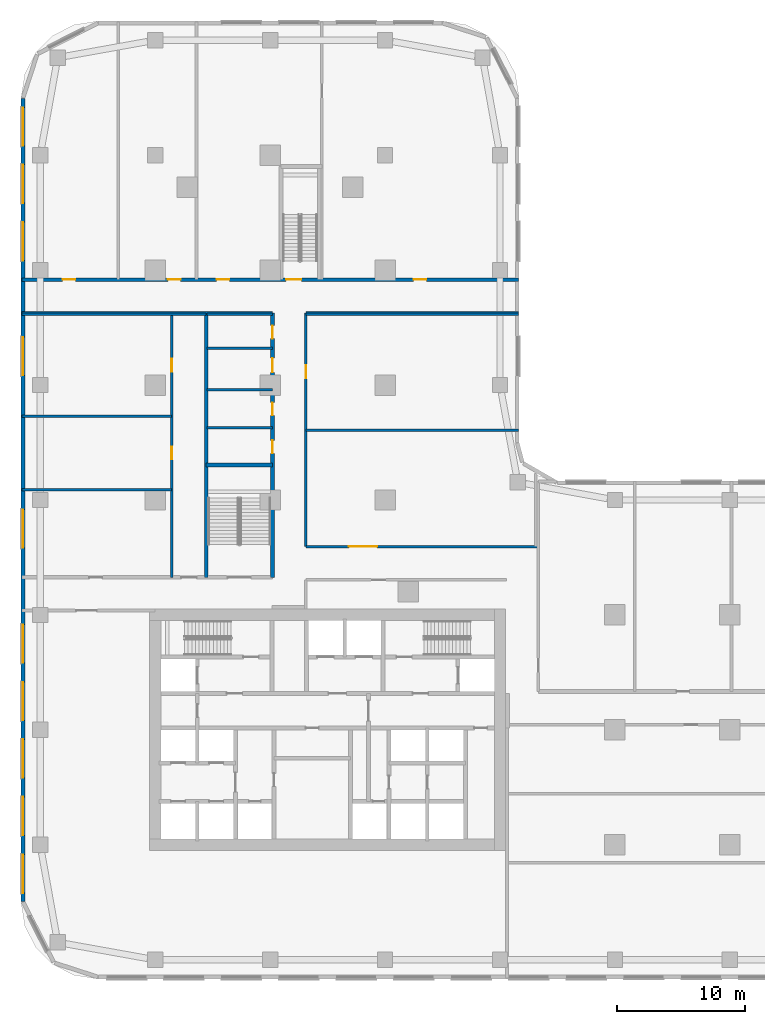
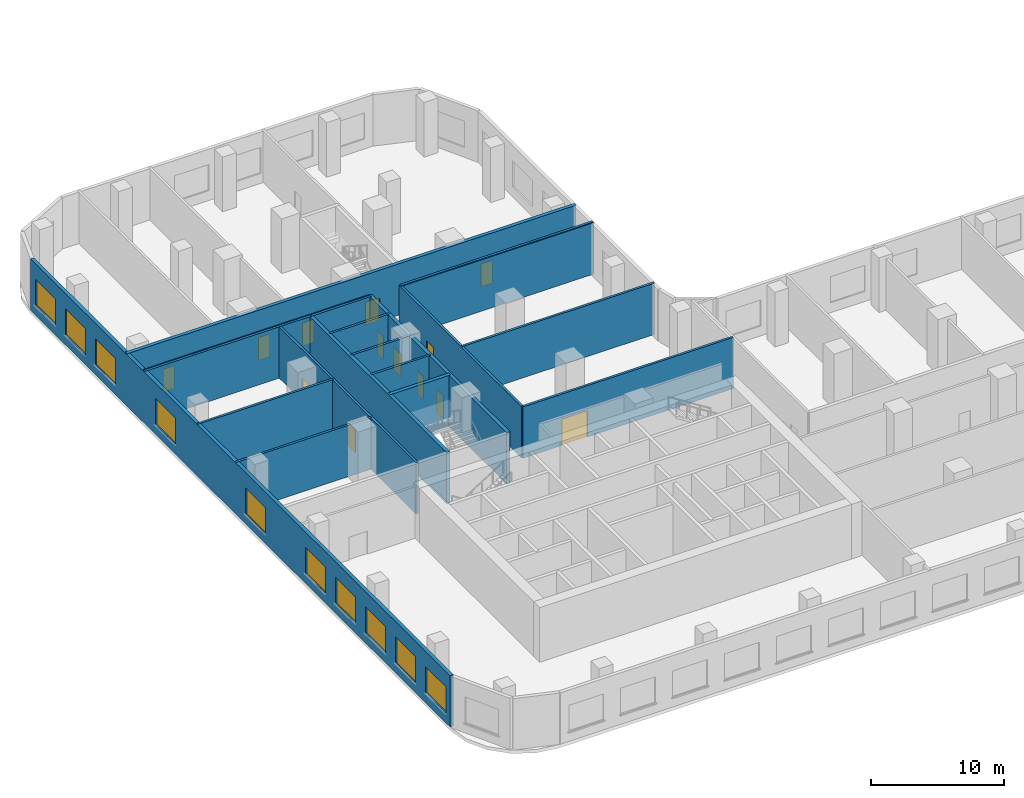
# One storey, part 9 of 35: 19 walls, 13 doors, 10 windows, 23 openings.
"""IFC4 building model written with IfcOpenShell, lengths in metres."""

from ifc_helpers import new_model, si_unit, direction, frame, frame_2d, origin, place, context, subcontext, project, spatial, rectangle, extrude, material, layer, layer_set, type_object, element, fill, save


model = new_model("IFC4")

# Units and contexts
model_context = context("Model", 3, precision=1e-05, world=origin(), true_north=direction((0.0, 1.0)))
body_context = subcontext(model_context, "Body", "Model", "MODEL_VIEW")
ifc_project = project(units=[si_unit("LENGTHUNIT", "METRE"), si_unit("AREAUNIT", "SQUARE_METRE"), si_unit("VOLUMEUNIT", "CUBIC_METRE"), si_unit("PLANEANGLEUNIT", "RADIAN"), si_unit("MASSUNIT", "GRAM", prefix="KILO")], contexts=[model_context])

# Site, building, storey
site_placement = place(None, origin())
site = spatial("IfcSite", under=ifc_project, at=site_placement, CompositionType="ELEMENT")
building_placement = place(site_placement, origin())
building = spatial("IfcBuilding", under=site, at=building_placement, Name="Ogive Portal Towers", CompositionType="ELEMENT")
storey_placement = place(building_placement, frame((0.0, 0.0, 18.5)))
storey = spatial("IfcBuildingStorey", under=building, at=storey_placement, Name="L03", CompositionType="ELEMENT", Elevation=18.5)

# Wall, openings, windows
ifc_material_1 = material(Name="Limestone cladding on lightweight block wall", Category="masonry")
ifc_layer_1 = layer(ifc_material_1, 0.300048828125)
ifc_layer_set_1 = layer_set([ifc_layer_1], Name="EXTERNAL WALL 300 STONE")
wall_type_1 = type_object("IfcWallType", Name="EXTERNAL WALL 300 STONE", PredefinedType="SOLIDWALL", material=ifc_layer_set_1)
wall_1_placement = place(storey_placement, frame((21.14990234375, 79.952392578125, 0.0), z_axis=(0.0, 0.0, 1.0), x_axis=(0.0, -1.0, 0.0)))
wall_1 = element("IfcWall", 1, at=wall_1_placement, inside=storey, type_object=wall_type_1, Name="A:L03:f17:w0", PredefinedType="SOLIDWALL", context=body_context, shape_type="SweptSolid", body=[
    extrude(rectangle(XDim=62.88037109375, YDim=0.300048828125, at=frame_2d((31.440185546875, 0.0))), origin(), (0.0, 0.0, 1.0), 4.699951171875),
])
opening_1_placement = place(wall_1_placement, frame((0.726318359375, 0.0, 0.89990234375)))
opening_1 = element("IfcOpeningElement", 2, at=opening_1_placement, cuts=wall_1, Name="Opening WN3", PredefinedType="OPENING", context=body_context, shape_type="SweptSolid", body=[
    extrude(rectangle(XDim=3.0, YDim=2.39990234375, at=frame_2d((1.5, 1.199951171875))), frame((0.0, 0.16015625, 0.0), z_axis=(0.0, -1.0, 0.0), x_axis=(1.0, 0.0, 0.0)), (0.0, 0.0, 1.0), 0.320068359375),
])
opening_2_placement = place(wall_1_placement, frame((5.202392578125, 0.0, 0.89990234375)))
opening_2 = element("IfcOpeningElement", 3, at=opening_2_placement, cuts=wall_1, Name="Opening WN3", PredefinedType="OPENING", context=body_context, shape_type="SweptSolid", body=[
    extrude(rectangle(XDim=3.0, YDim=2.39990234375, at=frame_2d((1.5, 1.199951171875))), frame((0.0, 0.16015625, 0.0), z_axis=(0.0, -1.0, 0.0), x_axis=(1.0, 0.0, 0.0)), (0.0, 0.0, 1.0), 0.320068359375),
])
opening_3_placement = place(wall_1_placement, frame((9.702392578125, 0.0, 0.89990234375)))
opening_3 = element("IfcOpeningElement", 4, at=opening_3_placement, cuts=wall_1, Name="Opening WN3", PredefinedType="OPENING", context=body_context, shape_type="SweptSolid", body=[
    extrude(rectangle(XDim=3.0, YDim=2.39990234375, at=frame_2d((1.5, 1.199951171875))), frame((0.0, 0.16015625, 0.0), z_axis=(0.0, -1.0, 0.0), x_axis=(1.0, 0.0, 0.0)), (0.0, 0.0, 1.0), 0.320068359375),
])
opening_4_placement = place(wall_1_placement, frame((18.702392578125, 0.0, 0.89990234375)))
opening_4 = element("IfcOpeningElement", 5, at=opening_4_placement, cuts=wall_1, Name="Opening WN3", PredefinedType="OPENING", context=body_context, shape_type="SweptSolid", body=[
    extrude(rectangle(XDim=3.0, YDim=2.39990234375, at=frame_2d((1.5, 1.199951171875))), frame((0.0, 0.16015625, 0.0), z_axis=(0.0, -1.0, 0.0), x_axis=(1.0, 0.0, 0.0)), (0.0, 0.0, 1.0), 0.320068359375),
])
opening_5_placement = place(wall_1_placement, frame((32.202392578125, 0.0, 0.89990234375)))
opening_5 = element("IfcOpeningElement", 6, at=opening_5_placement, cuts=wall_1, Name="Opening WN3", PredefinedType="OPENING", context=body_context, shape_type="SweptSolid", body=[
    extrude(rectangle(XDim=3.0, YDim=2.39990234375, at=frame_2d((1.5, 1.199951171875))), frame((0.0, 0.16015625, 0.0), z_axis=(0.0, -1.0, 0.0), x_axis=(1.0, 0.0, 0.0)), (0.0, 0.0, 1.0), 0.320068359375),
])
opening_6_placement = place(wall_1_placement, frame((41.202392578125, 0.0, 0.89990234375)))
opening_6 = element("IfcOpeningElement", 7, at=opening_6_placement, cuts=wall_1, Name="Opening WN3", PredefinedType="OPENING", context=body_context, shape_type="SweptSolid", body=[
    extrude(rectangle(XDim=3.0, YDim=2.39990234375, at=frame_2d((1.5, 1.199951171875))), frame((0.0, 0.16015625, 0.0), z_axis=(0.0, -1.0, 0.0), x_axis=(1.0, 0.0, 0.0)), (0.0, 0.0, 1.0), 0.320068359375),
])
opening_7_placement = place(wall_1_placement, frame((45.702392578125, 0.0, 0.89990234375)))
opening_7 = element("IfcOpeningElement", 8, at=opening_7_placement, cuts=wall_1, Name="Opening WN3", PredefinedType="OPENING", context=body_context, shape_type="SweptSolid", body=[
    extrude(rectangle(XDim=3.0, YDim=2.39990234375, at=frame_2d((1.5, 1.199951171875))), frame((0.0, 0.16015625, 0.0), z_axis=(0.0, -1.0, 0.0), x_axis=(1.0, 0.0, 0.0)), (0.0, 0.0, 1.0), 0.320068359375),
])
opening_8_placement = place(wall_1_placement, frame((50.202392578125, 0.0, 0.89990234375)))
opening_8 = element("IfcOpeningElement", 9, at=opening_8_placement, cuts=wall_1, Name="Opening WN3", PredefinedType="OPENING", context=body_context, shape_type="SweptSolid", body=[
    extrude(rectangle(XDim=3.0, YDim=2.39990234375, at=frame_2d((1.5, 1.199951171875))), frame((0.0, 0.16015625, 0.0), z_axis=(0.0, -1.0, 0.0), x_axis=(1.0, 0.0, 0.0)), (0.0, 0.0, 1.0), 0.320068359375),
])
opening_9_placement = place(wall_1_placement, frame((54.702392578125, 0.0, 0.89990234375)))
opening_9 = element("IfcOpeningElement", 10, at=opening_9_placement, cuts=wall_1, Name="Opening WN3", PredefinedType="OPENING", context=body_context, shape_type="SweptSolid", body=[
    extrude(rectangle(XDim=3.0, YDim=2.39990234375, at=frame_2d((1.5, 1.199951171875))), frame((0.0, 0.16015625, 0.0), z_axis=(0.0, -1.0, 0.0), x_axis=(1.0, 0.0, 0.0)), (0.0, 0.0, 1.0), 0.320068359375),
])
opening_10_placement = place(wall_1_placement, frame((59.226318359375, 0.0, 0.89990234375)))
opening_10 = element("IfcOpeningElement", 11, at=opening_10_placement, cuts=wall_1, Name="Opening WN3", PredefinedType="OPENING", context=body_context, shape_type="SweptSolid", body=[
    extrude(rectangle(XDim=3.0, YDim=2.39990234375, at=frame_2d((1.5, 1.199951171875))), frame((0.0, 0.16015625, 0.0), z_axis=(0.0, -1.0, 0.0), x_axis=(1.0, 0.0, 0.0)), (0.0, 0.0, 1.0), 0.320068359375),
])
ifc_material_2 = material(Name="Glass, clear low-iron insulated glazing", Category="glass")
window_type = type_object("IfcWindowType", Name="WINDOW PODIUM 3000x2400", PartitioningType="SINGLE_PANEL", PredefinedType="WINDOW", material=ifc_material_2)
window_1_placement = place(opening_1_placement, origin())
window_1 = element("IfcWindow", 12, at=window_1_placement, inside=storey, type_object=window_type, Name="A:L03:f17:w0:o0", OverallHeight=2.39990234375, OverallWidth=3.0, PartitioningType="SINGLE_PANEL", PredefinedType="WINDOW", context=body_context, shape_type="SweptSolid", body=[
    extrude(rectangle(XDim=3.0, YDim=2.39990234375, at=frame_2d((1.5, 1.199951171875))), frame((0.0, 0.030029296875, 0.0), z_axis=(0.0, -1.0, 0.0), x_axis=(1.0, 0.0, 0.0)), (0.0, 0.0, 1.0), 0.06005859375),
])
fill(opening_1, window_1)
window_2_placement = place(opening_2_placement, origin())
window_2 = element("IfcWindow", 13, at=window_2_placement, inside=storey, type_object=window_type, Name="A:L03:f17:w0:o1a", OverallHeight=2.39990234375, OverallWidth=3.0, PartitioningType="SINGLE_PANEL", PredefinedType="WINDOW", context=body_context, shape_type="SweptSolid", body=[
    extrude(rectangle(XDim=3.0, YDim=2.39990234375, at=frame_2d((1.5, 1.199951171875))), frame((0.0, 0.030029296875, 0.0), z_axis=(0.0, -1.0, 0.0), x_axis=(1.0, 0.0, 0.0)), (0.0, 0.0, 1.0), 0.06005859375),
])
fill(opening_2, window_2)
window_3_placement = place(opening_3_placement, origin())
window_3 = element("IfcWindow", 14, at=window_3_placement, inside=storey, type_object=window_type, Name="A:L03:f17:w0:o1b", OverallHeight=2.39990234375, OverallWidth=3.0, PartitioningType="SINGLE_PANEL", PredefinedType="WINDOW", context=body_context, shape_type="SweptSolid", body=[
    extrude(rectangle(XDim=3.0, YDim=2.39990234375, at=frame_2d((1.5, 1.199951171875))), frame((0.0, 0.030029296875, 0.0), z_axis=(0.0, -1.0, 0.0), x_axis=(1.0, 0.0, 0.0)), (0.0, 0.0, 1.0), 0.06005859375),
])
fill(opening_3, window_3)
window_4_placement = place(opening_4_placement, origin())
window_4 = element("IfcWindow", 15, at=window_4_placement, inside=storey, type_object=window_type, Name="A:L03:f17:w0:o2b", OverallHeight=2.39990234375, OverallWidth=3.0, PartitioningType="SINGLE_PANEL", PredefinedType="WINDOW", context=body_context, shape_type="SweptSolid", body=[
    extrude(rectangle(XDim=3.0, YDim=2.39990234375, at=frame_2d((1.5, 1.199951171875))), frame((0.0, 0.030029296875, 0.0), z_axis=(0.0, -1.0, 0.0), x_axis=(1.0, 0.0, 0.0)), (0.0, 0.0, 1.0), 0.06005859375),
])
fill(opening_4, window_4)
window_5_placement = place(opening_5_placement, origin())
window_5 = element("IfcWindow", 16, at=window_5_placement, inside=storey, type_object=window_type, Name="A:L03:f17:w0:o4a", OverallHeight=2.39990234375, OverallWidth=3.0, PartitioningType="SINGLE_PANEL", PredefinedType="WINDOW", context=body_context, shape_type="SweptSolid", body=[
    extrude(rectangle(XDim=3.0, YDim=2.39990234375, at=frame_2d((1.5, 1.199951171875))), frame((0.0, 0.030029296875, 0.0), z_axis=(0.0, -1.0, 0.0), x_axis=(1.0, 0.0, 0.0)), (0.0, 0.0, 1.0), 0.06005859375),
])
fill(opening_5, window_5)
window_6_placement = place(opening_6_placement, origin())
window_6 = element("IfcWindow", 17, at=window_6_placement, inside=storey, type_object=window_type, Name="A:L03:f17:w0:o5a", OverallHeight=2.39990234375, OverallWidth=3.0, PartitioningType="SINGLE_PANEL", PredefinedType="WINDOW", context=body_context, shape_type="SweptSolid", body=[
    extrude(rectangle(XDim=3.0, YDim=2.39990234375, at=frame_2d((1.5, 1.199951171875))), frame((0.0, 0.030029296875, 0.0), z_axis=(0.0, -1.0, 0.0), x_axis=(1.0, 0.0, 0.0)), (0.0, 0.0, 1.0), 0.06005859375),
])
fill(opening_6, window_6)
window_7_placement = place(opening_7_placement, origin())
window_7 = element("IfcWindow", 18, at=window_7_placement, inside=storey, type_object=window_type, Name="A:L03:f17:w0:o5b", OverallHeight=2.39990234375, OverallWidth=3.0, PartitioningType="SINGLE_PANEL", PredefinedType="WINDOW", context=body_context, shape_type="SweptSolid", body=[
    extrude(rectangle(XDim=3.0, YDim=2.39990234375, at=frame_2d((1.5, 1.199951171875))), frame((0.0, 0.030029296875, 0.0), z_axis=(0.0, -1.0, 0.0), x_axis=(1.0, 0.0, 0.0)), (0.0, 0.0, 1.0), 0.06005859375),
])
fill(opening_7, window_7)
window_8_placement = place(opening_8_placement, origin())
window_8 = element("IfcWindow", 19, at=window_8_placement, inside=storey, type_object=window_type, Name="A:L03:f17:w0:o6a", OverallHeight=2.39990234375, OverallWidth=3.0, PartitioningType="SINGLE_PANEL", PredefinedType="WINDOW", context=body_context, shape_type="SweptSolid", body=[
    extrude(rectangle(XDim=3.0, YDim=2.39990234375, at=frame_2d((1.5, 1.199951171875))), frame((0.0, 0.030029296875, 0.0), z_axis=(0.0, -1.0, 0.0), x_axis=(1.0, 0.0, 0.0)), (0.0, 0.0, 1.0), 0.06005859375),
])
fill(opening_8, window_8)
window_9_placement = place(opening_9_placement, origin())
window_9 = element("IfcWindow", 20, at=window_9_placement, inside=storey, type_object=window_type, Name="A:L03:f17:w0:o6b", OverallHeight=2.39990234375, OverallWidth=3.0, PartitioningType="SINGLE_PANEL", PredefinedType="WINDOW", context=body_context, shape_type="SweptSolid", body=[
    extrude(rectangle(XDim=3.0, YDim=2.39990234375, at=frame_2d((1.5, 1.199951171875))), frame((0.0, 0.030029296875, 0.0), z_axis=(0.0, -1.0, 0.0), x_axis=(1.0, 0.0, 0.0)), (0.0, 0.0, 1.0), 0.06005859375),
])
fill(opening_9, window_9)
window_10_placement = place(opening_10_placement, origin())
window_10 = element("IfcWindow", 21, at=window_10_placement, inside=storey, type_object=window_type, Name="A:L03:f17:w0:o7", OverallHeight=2.39990234375, OverallWidth=3.0, PartitioningType="SINGLE_PANEL", PredefinedType="WINDOW", context=body_context, shape_type="SweptSolid", body=[
    extrude(rectangle(XDim=3.0, YDim=2.39990234375, at=frame_2d((1.5, 1.199951171875))), frame((0.0, 0.030029296875, 0.0), z_axis=(0.0, -1.0, 0.0), x_axis=(1.0, 0.0, 0.0)), (0.0, 0.0, 1.0), 0.06005859375),
])
fill(opening_10, window_10)

# Wall
ifc_material_3 = material(Name="Concrete C50/60", Category="concrete")
ifc_layer_2 = layer(ifc_material_3, 0.300048828125)
ifc_layer_set_2 = layer_set([ifc_layer_2], Name="STAIR WALL 300 C50")
wall_type_2 = type_object("IfcWallType", Name="STAIR WALL 300 C50", PredefinedType="SHEAR", material=ifc_layer_set_2)
wall_2_placement = place(storey_placement, frame((35.5, 51.25, 0.0), z_axis=(0.0, 0.0, 1.0), x_axis=(1.0, 0.0, 0.0)))
element("IfcWall", 22, at=wall_2_placement, inside=storey, type_object=wall_type_2, Name="Stair wall ST-P2 L03", PredefinedType="SHEAR", context=body_context, shape_type="SweptSolid", body=[
    extrude(rectangle(XDim=5.199951171875, YDim=0.300048828125, at=frame_2d((2.60009765625, 0.0))), origin(), (0.0, 0.0, 1.0), 4.699951171875),
])

# Wall, openings, doors
wall_3_placement = place(storey_placement, frame((21.070068359375, 65.75, 0.0), z_axis=(0.0, 0.0, 1.0), x_axis=(1.0, 0.0, 0.0)))
wall_3 = element("IfcWall", 23, at=wall_3_placement, inside=storey, type_object=wall_type_2, Name="Stair wall ST-A3 L03", PredefinedType="SHEAR", context=body_context, shape_type="SweptSolid", body=[
    extrude(rectangle(XDim=38.85986328125, YDim=0.300048828125, at=frame_2d((19.429931640625, 0.0))), origin(), (0.0, 0.0, 1.0), 4.699951171875),
])
opening_11_placement = place(wall_3_placement, frame((20.679931640625, 0.0, 0.0)))
opening_11 = element("IfcOpeningElement", 24, at=opening_11_placement, cuts=wall_3, Name="Opening P03-001", PredefinedType="OPENING", context=body_context, shape_type="SweptSolid", body=[
    extrude(rectangle(XDim=1.199951171875, YDim=2.10009765625, at=frame_2d((0.60009765625, 1.050048828125))), frame((0.0, 0.16015625, 0.0), z_axis=(0.0, -1.0, 0.0), x_axis=(1.0, 0.0, 0.0)), (0.0, 0.0, 1.0), 0.320068359375),
])
opening_12_placement = place(wall_3_placement, frame((15.25, 0.0, 0.0)))
opening_12 = element("IfcOpeningElement", 25, at=opening_12_placement, cuts=wall_3, Name="Opening P03-007", PredefinedType="OPENING", context=body_context, shape_type="SweptSolid", body=[
    extrude(rectangle(XDim=1.0, YDim=2.10009765625, at=frame_2d((0.5, 1.050048828125))), frame((0.0, 0.16015625, 0.0), z_axis=(0.0, -1.0, 0.0), x_axis=(1.0, 0.0, 0.0)), (0.0, 0.0, 1.0), 0.320068359375),
])
opening_13_placement = place(wall_3_placement, frame((30.675048828125, 0.0, 0.0)))
opening_13 = element("IfcOpeningElement", 26, at=opening_13_placement, cuts=wall_3, Name="Opening P03-009", PredefinedType="OPENING", context=body_context, shape_type="SweptSolid", body=[
    extrude(rectangle(XDim=1.0, YDim=2.10009765625, at=frame_2d((0.5, 1.050048828125))), frame((0.0, 0.16015625, 0.0), z_axis=(0.0, -1.0, 0.0), x_axis=(1.0, 0.0, 0.0)), (0.0, 0.0, 1.0), 0.320068359375),
])
opening_14_placement = place(wall_3_placement, frame((3.18408203125, 0.0, 0.0)))
opening_14 = element("IfcOpeningElement", 27, at=opening_14_placement, cuts=wall_3, Name="Opening P03-033", PredefinedType="OPENING", context=body_context, shape_type="SweptSolid", body=[
    extrude(rectangle(XDim=1.0, YDim=2.10009765625, at=frame_2d((0.5, 1.050048828125))), frame((0.0, 0.16015625, 0.0), z_axis=(0.0, -1.0, 0.0), x_axis=(1.0, 0.0, 0.0)), (0.0, 0.0, 1.0), 0.320068359375),
])
opening_15_placement = place(wall_3_placement, frame((11.429931640625, 0.0, 0.0)))
opening_15 = element("IfcOpeningElement", 28, at=opening_15_placement, cuts=wall_3, Name="Opening P03-034", PredefinedType="OPENING", context=body_context, shape_type="SweptSolid", body=[
    extrude(rectangle(XDim=1.0, YDim=2.10009765625, at=frame_2d((0.5, 1.050048828125))), frame((0.0, 0.16015625, 0.0), z_axis=(0.0, -1.0, 0.0), x_axis=(1.0, 0.0, 0.0)), (0.0, 0.0, 1.0), 0.320068359375),
])
ifc_material_4 = material(Name="Steel fire door", Category="steel")
door_type_1 = type_object("IfcDoorType", Name="DT-SWING-1000x2100-FD90S", OperationType="SINGLE_SWING_LEFT", PredefinedType="DOOR", material=ifc_material_4)
door_1_placement = place(opening_12_placement, origin())
door_1 = element("IfcDoor", 29, at=door_1_placement, inside=storey, type_object=door_type_1, Name="Door P03-007", OperationType="SINGLE_SWING_LEFT", OverallHeight=2.10009765625, OverallWidth=1.0, PredefinedType="DOOR", context=body_context, shape_type="SweptSolid", body=[
    extrude(rectangle(XDim=1.0, YDim=2.10009765625, at=frame_2d((0.5, 1.050048828125))), frame((0.0, 0.02490234375, 0.0), z_axis=(0.0, -1.0, 0.0), x_axis=(1.0, 0.0, 0.0)), (0.0, 0.0, 1.0), 0.050048828125),
])
fill(opening_12, door_1)
door_2_placement = place(opening_13_placement, origin())
door_2 = element("IfcDoor", 30, at=door_2_placement, inside=storey, type_object=door_type_1, Name="Door P03-009", OperationType="SINGLE_SWING_LEFT", OverallHeight=2.10009765625, OverallWidth=1.0, PredefinedType="DOOR", context=body_context, shape_type="SweptSolid", body=[
    extrude(rectangle(XDim=1.0, YDim=2.10009765625, at=frame_2d((0.5, 1.050048828125))), frame((0.0, 0.02490234375, 0.0), z_axis=(0.0, -1.0, 0.0), x_axis=(1.0, 0.0, 0.0)), (0.0, 0.0, 1.0), 0.050048828125),
])
fill(opening_13, door_2)
door_3_placement = place(opening_14_placement, origin())
door_3 = element("IfcDoor", 31, at=door_3_placement, inside=storey, type_object=door_type_1, Name="Door P03-033", OperationType="SINGLE_SWING_LEFT", OverallHeight=2.10009765625, OverallWidth=1.0, PredefinedType="DOOR", context=body_context, shape_type="SweptSolid", body=[
    extrude(rectangle(XDim=1.0, YDim=2.10009765625, at=frame_2d((0.5, 1.050048828125))), frame((0.0, 0.02490234375, 0.0), z_axis=(0.0, -1.0, 0.0), x_axis=(1.0, 0.0, 0.0)), (0.0, 0.0, 1.0), 0.050048828125),
])
fill(opening_14, door_3)
door_4_placement = place(opening_15_placement, origin())
door_4 = element("IfcDoor", 32, at=door_4_placement, inside=storey, type_object=door_type_1, Name="Door P03-034", OperationType="SINGLE_SWING_RIGHT", OverallHeight=2.10009765625, OverallWidth=1.0, PredefinedType="DOOR", context=body_context, shape_type="SweptSolid", body=[
    extrude(rectangle(XDim=1.0, YDim=2.10009765625, at=frame_2d((0.5, 1.050048828125))), frame((0.0, 0.02490234375, 0.0), z_axis=(0.0, -1.0, 0.0), x_axis=(1.0, 0.0, 0.0)), (0.0, 0.0, 1.0), 0.050048828125),
])
fill(opening_15, door_4)
door_type_2 = type_object("IfcDoorType", Name="DT-SWING-1200x2100-FD90S", OperationType="SINGLE_SWING_LEFT", PredefinedType="DOOR", material=ifc_material_4)
door_5_placement = place(opening_11_placement, origin())
door_5 = element("IfcDoor", 33, at=door_5_placement, inside=storey, type_object=door_type_2, Name="Door P03-001", OperationType="SINGLE_SWING_LEFT", OverallHeight=2.10009765625, OverallWidth=1.199951171875, PredefinedType="DOOR", context=body_context, shape_type="SweptSolid", body=[
    extrude(rectangle(XDim=1.199951171875, YDim=2.10009765625, at=frame_2d((0.60009765625, 1.050048828125))), frame((0.0, 0.02490234375, 0.0), z_axis=(0.0, -1.0, 0.0), x_axis=(1.0, 0.0, 0.0)), (0.0, 0.0, 1.0), 0.050048828125),
])
fill(opening_11, door_5)

# Wall
wall_4_placement = place(storey_placement, frame((35.5, 42.449951171875, 0.0), z_axis=(0.0, 0.0, 1.0), x_axis=(0.0, 1.0, 0.0)))
element("IfcWall", 34, at=wall_4_placement, inside=storey, type_object=wall_type_2, Name="Stair wall ST-P2 L03", PredefinedType="SHEAR", context=body_context, shape_type="SweptSolid", body=[
    extrude(rectangle(XDim=20.60009765625, YDim=0.300048828125, at=frame_2d((10.300048828125, 0.0))), origin(), (0.0, 0.0, 1.0), 4.699951171875),
])

# Wall, openings, doors
wall_5_placement = place(storey_placement, frame((40.699951171875, 42.449951171875, 0.0), z_axis=(0.0, 0.0, 1.0), x_axis=(0.0, 1.0, 0.0)))
wall_5 = element("IfcWall", 35, at=wall_5_placement, inside=storey, type_object=wall_type_2, Name="Stair wall ST-P2 L03", PredefinedType="SHEAR", context=body_context, shape_type="SweptSolid", body=[
    extrude(rectangle(XDim=20.699951171875, YDim=0.300048828125, at=frame_2d((10.35009765625, 0.0))), origin(), (0.0, 0.0, 1.0), 4.699951171875),
])
opening_16_placement = place(wall_5_placement, frame((9.7099609375, 0.0, 0.0)))
opening_16 = element("IfcOpeningElement", 36, at=opening_16_placement, cuts=wall_5, Name="Opening P03-027", PredefinedType="OPENING", context=body_context, shape_type="SweptSolid", body=[
    extrude(rectangle(XDim=1.0, YDim=2.10009765625, at=frame_2d((0.5, 1.050048828125))), frame((0.0, 0.16015625, 0.0), z_axis=(0.0, -1.0, 0.0), x_axis=(1.0, 0.0, 0.0)), (0.0, 0.0, 1.0), 0.320068359375),
])
opening_17_placement = place(wall_5_placement, frame((12.673095703125, 0.0, 0.0)))
opening_17 = element("IfcOpeningElement", 37, at=opening_17_placement, cuts=wall_5, Name="Opening P03-028", PredefinedType="OPENING", context=body_context, shape_type="SweptSolid", body=[
    extrude(rectangle(XDim=1.0, YDim=2.10009765625, at=frame_2d((0.5, 1.050048828125))), frame((0.0, 0.16015625, 0.0), z_axis=(0.0, -1.0, 0.0), x_axis=(1.0, 0.0, 0.0)), (0.0, 0.0, 1.0), 0.320068359375),
])
opening_18_placement = place(wall_5_placement, frame((16.050048828125, 0.0, 0.0)))
opening_18 = element("IfcOpeningElement", 38, at=opening_18_placement, cuts=wall_5, Name="Opening P03-029", PredefinedType="OPENING", context=body_context, shape_type="SweptSolid", body=[
    extrude(rectangle(XDim=1.10009765625, YDim=2.10009765625, at=frame_2d((0.550048828125, 1.050048828125))), frame((0.0, 0.16015625, 0.0), z_axis=(0.0, -1.0, 0.0), x_axis=(1.0, 0.0, 0.0)), (0.0, 0.0, 1.0), 0.320068359375),
])
opening_19_placement = place(wall_5_placement, frame((18.694091796875, 0.0, 0.0)))
opening_19 = element("IfcOpeningElement", 39, at=opening_19_placement, cuts=wall_5, Name="Opening P03-030", PredefinedType="OPENING", context=body_context, shape_type="SweptSolid", body=[
    extrude(rectangle(XDim=1.0, YDim=2.10009765625, at=frame_2d((0.5, 1.050048828125))), frame((0.0, 0.16015625, 0.0), z_axis=(0.0, -1.0, 0.0), x_axis=(1.0, 0.0, 0.0)), (0.0, 0.0, 1.0), 0.320068359375),
])
door_type_3 = type_object("IfcDoorType", Name="DT-ACCESS-1100x2100-FD90S", OperationType="SINGLE_SWING_LEFT", PredefinedType="DOOR", material=ifc_material_4)
door_6_placement = place(opening_18_placement, origin())
door_6 = element("IfcDoor", 40, at=door_6_placement, inside=storey, type_object=door_type_3, Name="Door P03-029", OperationType="SINGLE_SWING_LEFT", OverallHeight=2.10009765625, OverallWidth=1.10009765625, PredefinedType="DOOR", context=body_context, shape_type="SweptSolid", body=[
    extrude(rectangle(XDim=1.10009765625, YDim=2.10009765625, at=frame_2d((0.550048828125, 1.050048828125))), frame((0.0, 0.02490234375, 0.0), z_axis=(0.0, -1.0, 0.0), x_axis=(1.0, 0.0, 0.0)), (0.0, 0.0, 1.0), 0.050048828125),
])
fill(opening_18, door_6)
door_7_placement = place(opening_16_placement, origin())
door_7 = element("IfcDoor", 41, at=door_7_placement, inside=storey, type_object=door_type_1, Name="Door P03-027", OperationType="SINGLE_SWING_LEFT", OverallHeight=2.10009765625, OverallWidth=1.0, PredefinedType="DOOR", context=body_context, shape_type="SweptSolid", body=[
    extrude(rectangle(XDim=1.0, YDim=2.10009765625, at=frame_2d((0.5, 1.050048828125))), frame((0.0, 0.02490234375, 0.0), z_axis=(0.0, -1.0, 0.0), x_axis=(1.0, 0.0, 0.0)), (0.0, 0.0, 1.0), 0.050048828125),
])
fill(opening_16, door_7)
door_8_placement = place(opening_17_placement, origin())
door_8 = element("IfcDoor", 42, at=door_8_placement, inside=storey, type_object=door_type_1, Name="Door P03-028", OperationType="SINGLE_SWING_RIGHT", OverallHeight=2.10009765625, OverallWidth=1.0, PredefinedType="DOOR", context=body_context, shape_type="SweptSolid", body=[
    extrude(rectangle(XDim=1.0, YDim=2.10009765625, at=frame_2d((0.5, 1.050048828125))), frame((0.0, 0.02490234375, 0.0), z_axis=(0.0, -1.0, 0.0), x_axis=(1.0, 0.0, 0.0)), (0.0, 0.0, 1.0), 0.050048828125),
])
fill(opening_17, door_8)
door_9_placement = place(opening_19_placement, origin())
door_9 = element("IfcDoor", 43, at=door_9_placement, inside=storey, type_object=door_type_1, Name="Door P03-030", OperationType="SINGLE_SWING_RIGHT", OverallHeight=2.10009765625, OverallWidth=1.0, PredefinedType="DOOR", context=body_context, shape_type="SweptSolid", body=[
    extrude(rectangle(XDim=1.0, YDim=2.10009765625, at=frame_2d((0.5, 1.050048828125))), frame((0.0, 0.02490234375, 0.0), z_axis=(0.0, -1.0, 0.0), x_axis=(1.0, 0.0, 0.0)), (0.0, 0.0, 1.0), 0.050048828125),
])
fill(opening_19, door_9)

# Wall, opening, door
ifc_material_5 = material(Name="Gypsum board partition on steel studs", Category="steel")
ifc_layer_3 = layer(ifc_material_5, 0.199951171875)
ifc_layer_set_3 = layer_set([ifc_layer_3], Name="WT-PART-200-EI 60")
wall_type_3 = type_object("IfcWallType", Name="WT-PART-200-EI 60", PredefinedType="PARTITIONING", material=ifc_layer_set_3)
wall_6_placement = place(storey_placement, frame((43.300048828125, 44.85009765625, 0.0), z_axis=(0.0, 0.0, 1.0), x_axis=(1.0, 0.0, 0.0)))
wall_6 = element("IfcWall", 44, at=wall_6_placement, inside=storey, type_object=wall_type_3, Name="Wall L03:w041", PredefinedType="PARTITIONING", context=body_context, shape_type="SweptSolid", body=[
    extrude(rectangle(XDim=18.199951171875, YDim=0.199951171875, at=frame_2d((9.10009765625, 0.0))), origin(), (0.0, 0.0, 1.0), 4.699951171875),
])
opening_20_placement = place(wall_6_placement, frame((3.376953125, 0.0, 0.0)))
opening_20 = element("IfcOpeningElement", 45, at=opening_20_placement, cuts=wall_6, Name="Opening P03-031", PredefinedType="OPENING", context=body_context, shape_type="SweptSolid", body=[
    extrude(rectangle(XDim=2.199951171875, YDim=2.39990234375, at=frame_2d((1.10009765625, 1.199951171875))), frame((0.0, 0.10986328125, 0.0), z_axis=(0.0, -1.0, 0.0), x_axis=(1.0, 0.0, 0.0)), (0.0, 0.0, 1.0), 0.219970703125),
])
door_type_4 = type_object("IfcDoorType", Name="DT-PLANT-2200x2400-FD60S", OperationType="SINGLE_SWING_LEFT", PredefinedType="DOOR", material=ifc_material_4)
door_10_placement = place(opening_20_placement, origin())
door_10 = element("IfcDoor", 46, at=door_10_placement, inside=storey, type_object=door_type_4, Name="Door P03-031", OperationType="SINGLE_SWING_LEFT", OverallHeight=2.39990234375, OverallWidth=2.199951171875, PredefinedType="DOOR", context=body_context, shape_type="SweptSolid", body=[
    extrude(rectangle(XDim=2.199951171875, YDim=2.39990234375, at=frame_2d((1.10009765625, 1.199951171875))), frame((0.0, 0.02490234375, 0.0), z_axis=(0.0, -1.0, 0.0), x_axis=(1.0, 0.0, 0.0)), (0.0, 0.0, 1.0), 0.050048828125),
])
fill(opening_20, door_10)

# Walls
wall_7_placement = place(storey_placement, frame((21.070068359375, 49.31689453125, 0.0), z_axis=(0.0, 0.0, 1.0), x_axis=(1.0, 0.0, 0.0)))
element("IfcWall", 47, at=wall_7_placement, inside=storey, type_object=wall_type_3, Name="Wall L03:w042", PredefinedType="PARTITIONING", context=body_context, shape_type="SweptSolid", body=[
    extrude(rectangle(XDim=11.72998046875, YDim=0.199951171875, at=frame_2d((5.864990234375, 0.0))), origin(), (0.0, 0.0, 1.0), 4.699951171875),
])
wall_8_placement = place(storey_placement, frame((43.300048828125, 53.949951171875, 0.0), z_axis=(0.0, 0.0, 1.0), x_axis=(1.0, 0.0, 0.0)))
element("IfcWall", 48, at=wall_8_placement, inside=storey, type_object=wall_type_3, Name="Wall L03:w045", PredefinedType="PARTITIONING", context=body_context, shape_type="SweptSolid", body=[
    extrude(rectangle(XDim=16.6298828125, YDim=0.199951171875, at=frame_2d((8.31494140625, 0.0))), origin(), (0.0, 0.0, 1.0), 4.699951171875),
])
wall_9_placement = place(storey_placement, frame((35.550048828125, 54.162109375, 0.0), z_axis=(0.0, 0.0, 1.0), x_axis=(1.0, 0.0, 0.0)))
element("IfcWall", 49, at=wall_9_placement, inside=storey, type_object=wall_type_3, Name="Wall L03:w046", PredefinedType="PARTITIONING", context=body_context, shape_type="SweptSolid", body=[
    extrude(rectangle(XDim=5.14990234375, YDim=0.199951171875, at=frame_2d((2.574951171875, 0.0))), origin(), (0.0, 0.0, 1.0), 4.699951171875),
])
wall_10_placement = place(storey_placement, frame((21.070068359375, 55.072021484375, 0.0), z_axis=(0.0, 0.0, 1.0), x_axis=(1.0, 0.0, 0.0)))
element("IfcWall", 50, at=wall_10_placement, inside=storey, type_object=wall_type_3, Name="Wall L03:w047", PredefinedType="PARTITIONING", context=body_context, shape_type="SweptSolid", body=[
    extrude(rectangle(XDim=11.72998046875, YDim=0.199951171875, at=frame_2d((5.864990234375, 0.0))), origin(), (0.0, 0.0, 1.0), 4.699951171875),
])
for number, where, z_axis, x_axis, name in (
    (51, (35.550048828125, 57.125, 0.0), (0.0, 0.0, 1.0), (1.0, 0.0, 0.0), "Wall L03:w048"),
    (52, (35.550048828125, 60.364013671875, 0.0), (0.0, 0.0, 1.0), (1.0, 0.0, 0.0), "Wall L03:w049"),
):
    element("IfcWall", number, at=place(storey_placement, frame(where, z_axis=z_axis, x_axis=x_axis)), inside=storey, type_object=wall_type_3, Name=name, PredefinedType="PARTITIONING", context=body_context, shape_type="SweptSolid", body=[
        extrude(rectangle(XDim=5.14990234375, YDim=0.199951171875, at=frame_2d((2.574951171875, 0.0))), origin(), (0.0, 0.0, 1.0), 4.699951171875),
    ])
wall_11_placement = place(storey_placement, frame((21.070068359375, 63.050048828125, 0.0), z_axis=(0.0, 0.0, 1.0), x_axis=(1.0, 0.0, 0.0)))
element("IfcWall", 53, at=wall_11_placement, inside=storey, type_object=wall_type_3, Name="Wall L03:w050", PredefinedType="PARTITIONING", context=body_context, shape_type="SweptSolid", body=[
    extrude(rectangle(XDim=14.429931640625, YDim=0.199951171875, at=frame_2d((7.21484375, 0.0))), origin(), (0.0, 0.0, 1.0), 4.699951171875),
])
wall_12_placement = place(storey_placement, frame((35.550048828125, 63.050048828125, 0.0), z_axis=(0.0, 0.0, 1.0), x_axis=(1.0, 0.0, 0.0)))
element("IfcWall", 54, at=wall_12_placement, inside=storey, type_object=wall_type_3, Name="Wall L03:w051", PredefinedType="PARTITIONING", context=body_context, shape_type="SweptSolid", body=[
    extrude(rectangle(XDim=5.14990234375, YDim=0.199951171875, at=frame_2d((2.574951171875, 0.0))), origin(), (0.0, 0.0, 1.0), 4.699951171875),
])
wall_13_placement = place(storey_placement, frame((43.300048828125, 63.050048828125, 0.0), z_axis=(0.0, 0.0, 1.0), x_axis=(1.0, 0.0, 0.0)))
element("IfcWall", 55, at=wall_13_placement, inside=storey, type_object=wall_type_3, Name="Wall L03:w052", PredefinedType="PARTITIONING", context=body_context, shape_type="SweptSolid", body=[
    extrude(rectangle(XDim=16.6298828125, YDim=0.199951171875, at=frame_2d((8.31494140625, 0.0))), origin(), (0.0, 0.0, 1.0), 4.699951171875),
])
wall_14_placement = place(storey_placement, frame((21.070068359375, 63.14990234375, 0.0), z_axis=(0.0, 0.0, 1.0), x_axis=(1.0, 0.0, 0.0)))
element("IfcWall", 56, at=wall_14_placement, inside=storey, type_object=wall_type_3, Name="Wall L03:w053", PredefinedType="PARTITIONING", context=body_context, shape_type="SweptSolid", body=[
    extrude(rectangle(XDim=19.6298828125, YDim=0.199951171875, at=frame_2d((9.81494140625, 0.0))), origin(), (0.0, 0.0, 1.0), 4.699951171875),
])
wall_15_placement = place(storey_placement, frame((43.300048828125, 63.14990234375, 0.0), z_axis=(0.0, 0.0, 1.0), x_axis=(1.0, 0.0, 0.0)))
element("IfcWall", 57, at=wall_15_placement, inside=storey, type_object=wall_type_3, Name="Wall L03:w054", PredefinedType="PARTITIONING", context=body_context, shape_type="SweptSolid", body=[
    extrude(rectangle(XDim=16.6298828125, YDim=0.199951171875, at=frame_2d((8.31494140625, 0.0))), origin(), (0.0, 0.0, 1.0), 4.699951171875),
])

# Wall, openings, doors
wall_16_placement = place(storey_placement, frame((32.800048828125, 42.449951171875, 0.0), z_axis=(0.0, 0.0, 1.0), x_axis=(0.0, 1.0, 0.0)))
wall_16 = element("IfcWall", 58, at=wall_16_placement, inside=storey, type_object=wall_type_3, Name="Wall L03:w084", PredefinedType="PARTITIONING", context=body_context, shape_type="SweptSolid", body=[
    extrude(rectangle(XDim=20.60009765625, YDim=0.199951171875, at=frame_2d((10.300048828125, 0.0))), origin(), (0.0, 0.0, 1.0), 4.699951171875),
])
opening_21_placement = place(wall_16_placement, frame((9.220947265625, 0.0, 0.0)))
opening_21 = element("IfcOpeningElement", 59, at=opening_21_placement, cuts=wall_16, Name="Opening P03-025", PredefinedType="OPENING", context=body_context, shape_type="SweptSolid", body=[
    extrude(rectangle(XDim=1.0, YDim=2.10009765625, at=frame_2d((0.5, 1.050048828125))), frame((0.0, 0.10986328125, 0.0), z_axis=(0.0, -1.0, 0.0), x_axis=(1.0, 0.0, 0.0)), (0.0, 0.0, 1.0), 0.219970703125),
])
opening_22_placement = place(wall_16_placement, frame((16.093994140625, 0.0, 0.0)))
opening_22 = element("IfcOpeningElement", 60, at=opening_22_placement, cuts=wall_16, Name="Opening P03-026", PredefinedType="OPENING", context=body_context, shape_type="SweptSolid", body=[
    extrude(rectangle(XDim=1.0, YDim=2.10009765625, at=frame_2d((0.5, 1.050048828125))), frame((0.0, 0.10986328125, 0.0), z_axis=(0.0, -1.0, 0.0), x_axis=(1.0, 0.0, 0.0)), (0.0, 0.0, 1.0), 0.219970703125),
])
door_type_5 = type_object("IfcDoorType", Name="DT-SWING-1000x2100-FD60S", OperationType="SINGLE_SWING_LEFT", PredefinedType="DOOR", material=ifc_material_4)
door_11_placement = place(opening_21_placement, origin())
door_11 = element("IfcDoor", 61, at=door_11_placement, inside=storey, type_object=door_type_5, Name="Door P03-025", OperationType="SINGLE_SWING_LEFT", OverallHeight=2.10009765625, OverallWidth=1.0, PredefinedType="DOOR", context=body_context, shape_type="SweptSolid", body=[
    extrude(rectangle(XDim=1.0, YDim=2.10009765625, at=frame_2d((0.5, 1.050048828125))), frame((0.0, 0.02490234375, 0.0), z_axis=(0.0, -1.0, 0.0), x_axis=(1.0, 0.0, 0.0)), (0.0, 0.0, 1.0), 0.050048828125),
])
fill(opening_21, door_11)
door_12_placement = place(opening_22_placement, origin())
door_12 = element("IfcDoor", 62, at=door_12_placement, inside=storey, type_object=door_type_5, Name="Door P03-026", OperationType="SINGLE_SWING_RIGHT", OverallHeight=2.10009765625, OverallWidth=1.0, PredefinedType="DOOR", context=body_context, shape_type="SweptSolid", body=[
    extrude(rectangle(XDim=1.0, YDim=2.10009765625, at=frame_2d((0.5, 1.050048828125))), frame((0.0, 0.02490234375, 0.0), z_axis=(0.0, -1.0, 0.0), x_axis=(1.0, 0.0, 0.0)), (0.0, 0.0, 1.0), 0.050048828125),
])
fill(opening_22, door_12)

# Wall, opening, door
wall_17_placement = place(storey_placement, frame((43.300048828125, 44.85009765625, 0.0), z_axis=(0.0, 0.0, 1.0), x_axis=(0.0, 1.0, 0.0)))
wall_17 = element("IfcWall", 63, at=wall_17_placement, inside=storey, type_object=wall_type_3, Name="Wall L03:w090", PredefinedType="PARTITIONING", context=body_context, shape_type="SweptSolid", body=[
    extrude(rectangle(XDim=18.2998046875, YDim=0.199951171875, at=frame_2d((9.14990234375, 0.0))), origin(), (0.0, 0.0, 1.0), 4.699951171875),
])
opening_23_placement = place(wall_17_placement, frame((13.199951171875, 0.0, 0.0)))
opening_23 = element("IfcOpeningElement", 64, at=opening_23_placement, cuts=wall_17, Name="Opening P03-032", PredefinedType="OPENING", context=body_context, shape_type="SweptSolid", body=[
    extrude(rectangle(XDim=1.0, YDim=2.10009765625, at=frame_2d((0.5, 1.050048828125))), frame((0.0, 0.10986328125, 0.0), z_axis=(0.0, -1.0, 0.0), x_axis=(1.0, 0.0, 0.0)), (0.0, 0.0, 1.0), 0.219970703125),
])
door_13_placement = place(opening_23_placement, origin())
door_13 = element("IfcDoor", 65, at=door_13_placement, inside=storey, type_object=door_type_5, Name="Door P03-032", OperationType="SINGLE_SWING_RIGHT", OverallHeight=2.10009765625, OverallWidth=1.0, PredefinedType="DOOR", context=body_context, shape_type="SweptSolid", body=[
    extrude(rectangle(XDim=1.0, YDim=2.10009765625, at=frame_2d((0.5, 1.050048828125))), frame((0.0, 0.02490234375, 0.0), z_axis=(0.0, -1.0, 0.0), x_axis=(1.0, 0.0, 0.0)), (0.0, 0.0, 1.0), 0.050048828125),
])
fill(opening_23, door_13)

save(model, "model.ifc")
